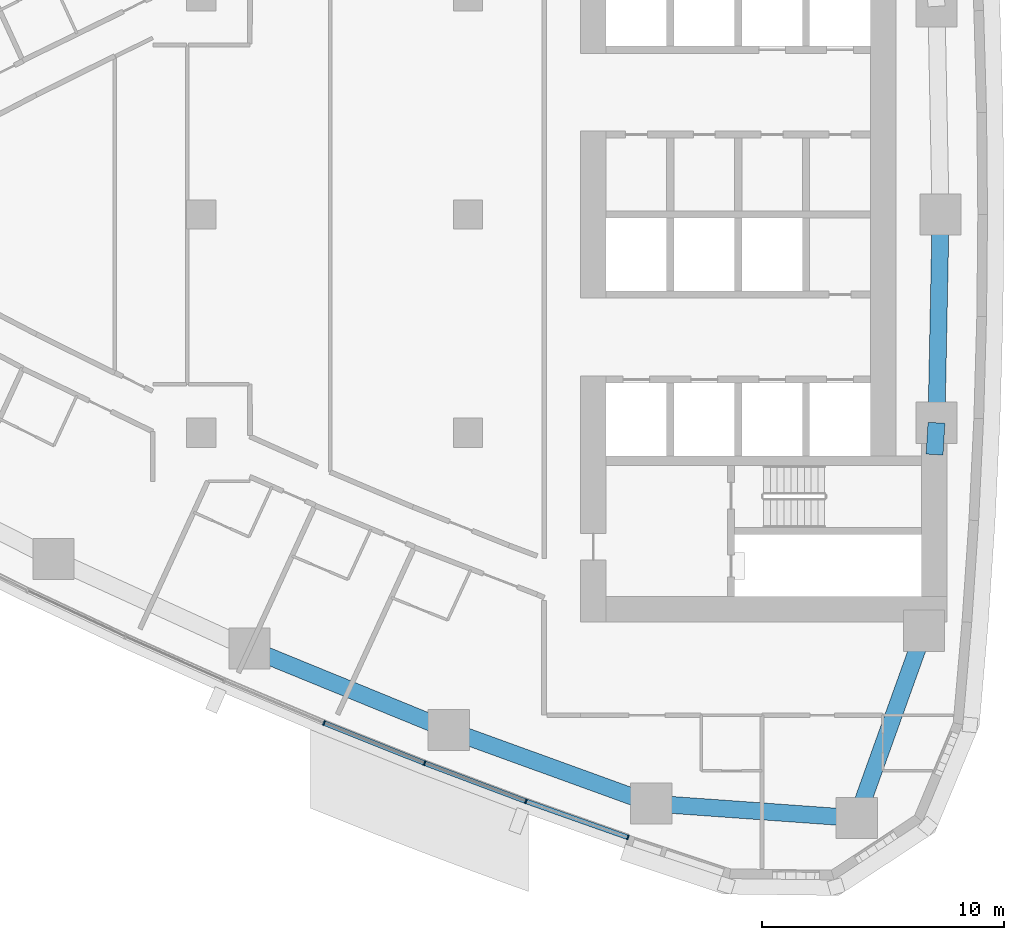
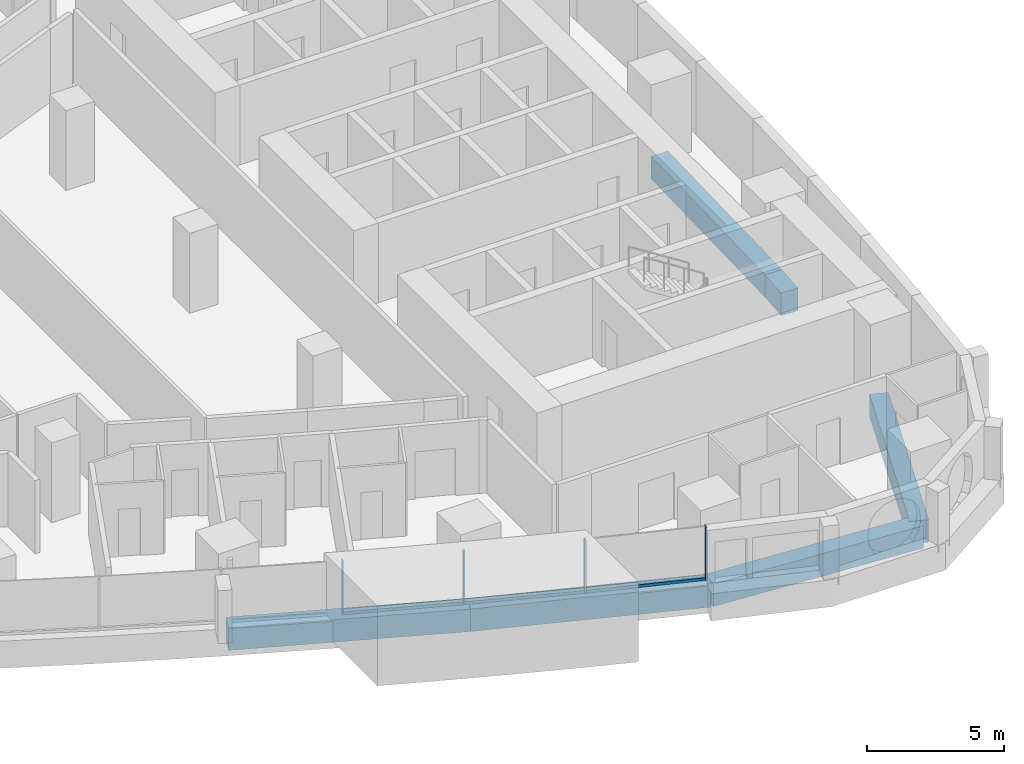
# One storey, part 4 of 17: 7 members, 6 beams, 2 elements without a shape of their own.
"""IFC4 building model written with IfcOpenShell, lengths in metres."""

from ifc_helpers import new_model, si_unit, direction, frame, origin, origin_2d, place, context, subcontext, project, spatial, rectangle, extrude, material, layer, layer_set, material_profile, profile_set, type_object, element, aggregate, save


model = new_model("IFC4")

# Units and contexts
model_context = context("Model", 3, precision=1e-05, world=origin(), true_north=direction((0.0, 1.0)))
body_context = subcontext(model_context, "Body", "Model", "MODEL_VIEW")
ifc_project = project(units=[si_unit("LENGTHUNIT", "METRE"), si_unit("AREAUNIT", "SQUARE_METRE"), si_unit("VOLUMEUNIT", "CUBIC_METRE"), si_unit("PLANEANGLEUNIT", "RADIAN"), si_unit("MASSUNIT", "GRAM", prefix="KILO")], contexts=[model_context])

# Site, building, storey
site_placement = place(None, origin())
site = spatial("IfcSite", under=ifc_project, at=site_placement, CompositionType="ELEMENT")
building_placement = place(site_placement, origin())
building = spatial("IfcBuilding", under=site, at=building_placement, Name="Ostrand Prow Hotel Tower", CompositionType="ELEMENT")
storey_placement = place(building_placement, frame((0.0, 0.0, 84.89990234375)))
storey = spatial("IfcBuildingStorey", under=building, at=storey_placement, Name="L19", CompositionType="ELEMENT", Elevation=84.89990234375)

# Beams
ifc_material_1 = material(Name="Concrete C80/95", Category="concrete")
ifc_material_profile_1 = material_profile(ifc_material_1, rectangle(XDim=0.699951171875, YDim=1.0, at=origin_2d()), Name="RC 700x1000")
ifc_profile_set_1 = profile_set([ifc_material_profile_1], Name="Concrete C80/95")
beam_type = type_object("IfcBeamType", Name="Edge beam 700x1000 C80/95", PredefinedType="SPANDREL", material=ifc_profile_set_1)
beam_1_placement = place(storey_placement, frame((35.98828125, -17.901611328125, -0.7998046875), z_axis=(0.925612172894, -0.378473387955, 0.0), x_axis=(0.378473387955, 0.925612172894, 0.0)))
element("IfcBeam", 1, at=beam_1_placement, inside=storey, type_object=beam_type, Name="Edge beam S4-S5", PredefinedType="SPANDREL", context=body_context, shape_type="SweptSolid", body=[
    extrude(rectangle(XDim=0.699951171875, YDim=1.0, at=origin_2d()), origin(), (0.0, 0.0, 1.0), 8.88330078125),
])
beam_2_placement = place(storey_placement, frame((44.210693359375, -21.263671875, -0.7998046875), z_axis=(0.940062739321, -0.341001533927, 0.0), x_axis=(0.341001533927, 0.940062739321, 0.0)))
element("IfcBeam", 2, at=beam_2_placement, inside=storey, type_object=beam_type, Name="Edge beam S5-S6", PredefinedType="SPANDREL", context=body_context, shape_type="SweptSolid", body=[
    extrude(rectangle(XDim=0.699951171875, YDim=1.0, at=origin_2d()), origin(), (0.0, 0.0, 1.0), 8.883544921875),
])
beam_3_placement = place(storey_placement, frame((52.561767578125, -24.29296875, -0.7998046875), z_axis=(0.99747195063, -0.071061295414, 0.0), x_axis=(0.071061295414, 0.99747195063, 0.0)))
element("IfcBeam", 3, at=beam_3_placement, inside=storey, type_object=beam_type, Name="Edge beam S6-SE", PredefinedType="SPANDREL", context=body_context, shape_type="SweptSolid", body=[
    extrude(rectangle(XDim=0.699951171875, YDim=1.0, at=origin_2d()), origin(), (0.0, 0.0, 1.0), 8.499755859375),
])
beam_4_placement = place(storey_placement, frame((61.0400390625, -24.89697265625, -0.7998046875), z_axis=(0.337815484063, 0.941212355809, 0.0), x_axis=(-0.941212355809, 0.337815484063, 0.0)))
element("IfcBeam", 4, at=beam_4_placement, inside=storey, type_object=beam_type, Name="Edge beam SE-B1", PredefinedType="SPANDREL", context=body_context, shape_type="SweptSolid", body=[
    extrude(rectangle(XDim=0.699951171875, YDim=1.0, at=origin_2d()), origin(), (0.0, 0.0, 1.0), 8.21630859375),
])
beam_5_placement = place(storey_placement, frame((64.25048828125, -9.89990234375, -0.7998046875), z_axis=(0.059658953766, 0.998218818314, 0.0), x_axis=(-0.998218818314, 0.059658953766, 0.0)))
element("IfcBeam", 5, at=beam_5_placement, inside=storey, type_object=beam_type, Name="Edge beam B1-B2", PredefinedType="SPANDREL", context=body_context, shape_type="SweptSolid", body=[
    extrude(rectangle(XDim=0.699951171875, YDim=1.0, at=origin_2d()), origin(), (0.0, 0.0, 1.0), 1.313720703125),
])
beam_6_placement = place(storey_placement, frame((64.328857421875, -8.588623046875, -0.7998046875), z_axis=(0.019922705812, 0.9998015232, 0.0), x_axis=(-0.9998015232, 0.019922705812, 0.0)))
element("IfcBeam", 6, at=beam_6_placement, inside=storey, type_object=beam_type, Name="Edge beam B2-B3", PredefinedType="SPANDREL", context=body_context, shape_type="SweptSolid", body=[
    extrude(rectangle(XDim=0.699951171875, YDim=1.0, at=origin_2d()), origin(), (0.0, 0.0, 1.0), 8.59033203125),
])

# Curtain wall, members
ifc_material_2 = material(Name="Insulated glass in bronze anodised frame", Category="glass")
ifc_layer = layer(ifc_material_2, 0.199951171875)
ifc_layer_set = layer_set([ifc_layer], Name="Insulated glass in bronze anodised frame")
curtain_wall_type = type_object("IfcCurtainWallType", Name="Strip curtain wall, fritted glass over bronze spandrel", PredefinedType="NOTDEFINED", material=ifc_layer_set)
curtain_wall_1_placement = place(storey_placement, origin())
curtain_wall_1 = element("IfcCurtainWall", 7, at=curtain_wall_1_placement, inside=storey, type_object=curtain_wall_type, Name="CW1 run CWS4", PredefinedType="NOTDEFINED")
ifc_material_3 = material(Name="Bronze anodised aluminium", Category="aluminium")
ifc_material_profile_2 = material_profile(ifc_material_3, rectangle(XDim=0.199951171875, YDim=0.06005859375, at=origin_2d()), Name="Mullion 60x200 bronze anodised aluminium")
ifc_profile_set_2 = profile_set([ifc_material_profile_2], Name="Bronze anodised aluminium")
member_type_1 = type_object("IfcMemberType", Name="Mullion 60x200 bronze anodised aluminium", PredefinedType="MULLION", material=ifc_profile_set_2)
member_1_placement = place(storey_placement, frame((39.06396484375, -20.97265625, 0.900146484375), z_axis=(0.0, 0.0, 1.0), x_axis=(0.370982121315, 0.928640008649, 0.0)))
member_1 = element("IfcMember", 8, at=member_1_placement, type_object=member_type_1, Name="CW1 mullion 2", PredefinedType="MULLION", context=body_context, shape_type="SweptSolid", body=[
    extrude(rectangle(XDim=0.199951171875, YDim=0.06005859375, at=origin_2d()), origin(), (0.0, 0.0, 1.0), 2.349853515625),
])
member_2_placement = place(storey_placement, frame((43.211181640625, -22.62939453125, 0.900146484375), z_axis=(0.0, 0.0, 1.0), x_axis=(0.370982121315, 0.928640008649, 0.0)))
member_2 = element("IfcMember", 9, at=member_2_placement, type_object=member_type_1, Name="CW1 mullion 3", PredefinedType="MULLION", context=body_context, shape_type="SweptSolid", body=[
    extrude(rectangle(XDim=0.199951171875, YDim=0.06005859375, at=origin_2d()), origin(), (0.0, 0.0, 1.0), 2.349853515625),
])

curtain_wall_2_placement = place(storey_placement, origin())
curtain_wall_2 = element("IfcCurtainWall", 10, at=curtain_wall_2_placement, inside=storey, type_object=curtain_wall_type, Name="CW1 run CWS5", PredefinedType="NOTDEFINED")
member_3_placement = place(storey_placement, frame((47.390869140625, -24.202880859375, 0.900146484375), z_axis=(0.0, 0.0, 1.0), x_axis=(0.333495894542, 0.942751551748, 0.0)))
member_3 = element("IfcMember", 11, at=member_3_placement, type_object=member_type_1, Name="CW1 mullion 2", PredefinedType="MULLION", context=body_context, shape_type="SweptSolid", body=[
    extrude(rectangle(XDim=0.199951171875, YDim=0.06005859375, at=origin_2d()), origin(), (0.0, 0.0, 1.0), 2.349853515625),
])
member_4_placement = place(storey_placement, frame((51.601318359375, -25.692138671875, 0.900146484375), z_axis=(0.0, 0.0, 1.0), x_axis=(0.333495894542, 0.942751551748, 0.0)))
member_4 = element("IfcMember", 12, at=member_4_placement, type_object=member_type_1, Name="CW1 mullion 3", PredefinedType="MULLION", context=body_context, shape_type="SweptSolid", body=[
    extrude(rectangle(XDim=0.199951171875, YDim=0.06005859375, at=origin_2d()), origin(), (0.0, 0.0, 1.0), 2.349853515625),
])

# Member
ifc_material_4 = material(Name="Bronze anodised aluminium", Category="aluminium")
ifc_material_profile_3 = material_profile(ifc_material_4, rectangle(XDim=0.199951171875, YDim=0.1201171875, at=origin_2d()), Name="Transom 120x200 bronze anodised aluminium")
ifc_profile_set_3 = profile_set([ifc_material_profile_3], Name="Bronze anodised aluminium")
member_type_2 = type_object("IfcMemberType", Name="Transom 120x200 bronze anodised aluminium", PredefinedType="USERDEFINED", material=ifc_profile_set_3)
member_5_placement = place(storey_placement, frame((39.091796875, -20.983642578125, 0.960205078125), z_axis=(0.928621833209, -0.371027614724, 0.0), x_axis=(0.371027614724, 0.928621833209, 0.0)))
member_5 = element("IfcMember", 13, at=member_5_placement, type_object=member_type_2, Name="CW1 transom 2.1", ObjectType="TRANSOM", PredefinedType="USERDEFINED", context=body_context, shape_type="SweptSolid", body=[
    extrude(rectangle(XDim=0.199951171875, YDim=0.1201171875, at=origin_2d()), origin(), (0.0, 0.0, 1.0), 4.406005859375),
])

aggregate(curtain_wall_1, [member_1, member_2, member_5])

member_6_placement = place(storey_placement, frame((43.2392578125, -22.639892578125, 0.960205078125), z_axis=(0.935868398429, -0.352349742191, 0.0), x_axis=(0.352349742191, 0.935868398429, 0.0)))
member_6 = element("IfcMember", 14, at=member_6_placement, type_object=member_type_2, Name="CW1 transom 1.1", ObjectType="TRANSOM", PredefinedType="USERDEFINED", context=body_context, shape_type="SweptSolid", body=[
    extrude(rectangle(XDim=0.199951171875, YDim=0.1201171875, at=origin_2d()), origin(), (0.0, 0.0, 1.0), 4.406005859375),
])

member_7_placement = place(storey_placement, frame((47.419189453125, -24.212890625, 0.960205078125), z_axis=(0.942763014139, -0.333463490013, 0.0), x_axis=(0.333463490013, 0.942763014139, 0.0)))
member_7 = element("IfcMember", 15, at=member_7_placement, type_object=member_type_2, Name="CW1 transom 2.1", ObjectType="TRANSOM", PredefinedType="USERDEFINED", context=body_context, shape_type="SweptSolid", body=[
    extrude(rectangle(XDim=0.199951171875, YDim=0.1201171875, at=origin_2d()), origin(), (0.0, 0.0, 1.0), 4.406005859375),
])

aggregate(curtain_wall_2, [member_3, member_4, member_6, member_7])

save(model, "model.ifc")
